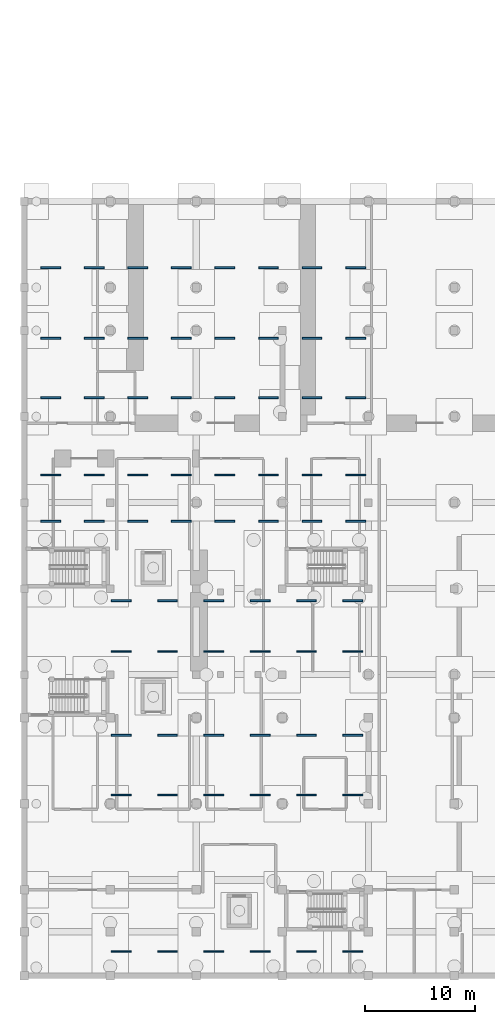
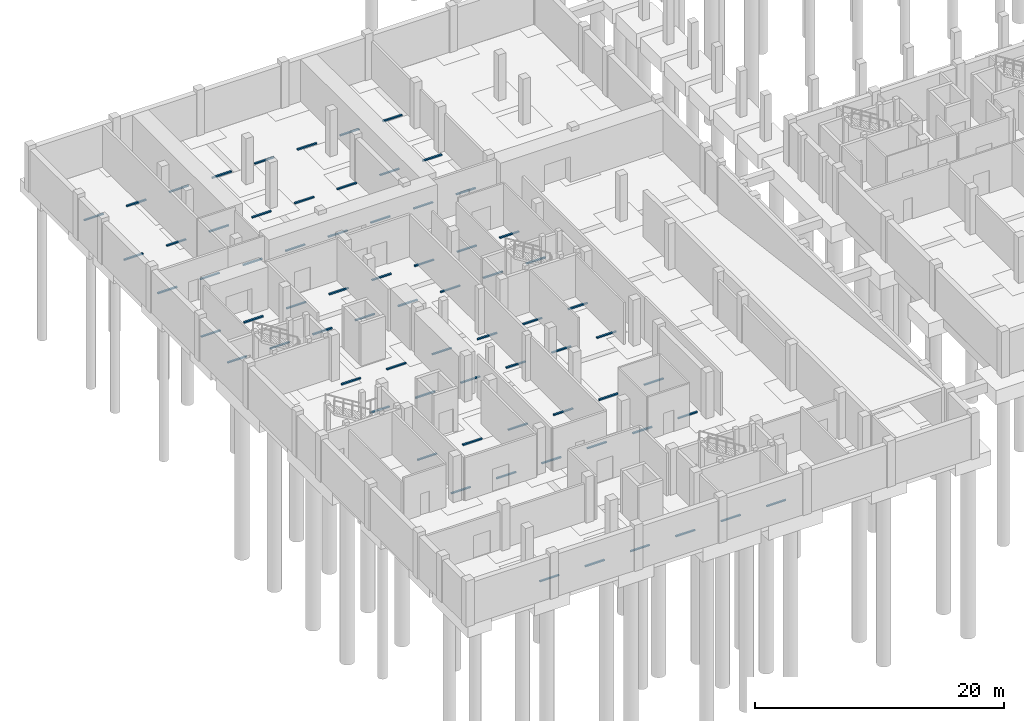
# One storey, part 19 of 24: 70 discrete accessories.
"""IFC4 building model written with IfcOpenShell, lengths in metres."""

from ifc_helpers import new_model, si_unit, direction, frame, origin, origin_2d, place, context, subcontext, project, spatial, rectangle, extrude, material, type_object, element, save


model = new_model("IFC4")

# Units and contexts
model_context = context("Model", 3, precision=1e-05, world=origin(), true_north=direction((0.0, 1.0)))
body_context = subcontext(model_context, "Body", "Model", "MODEL_VIEW")
ifc_project = project(units=[si_unit("LENGTHUNIT", "METRE"), si_unit("AREAUNIT", "SQUARE_METRE"), si_unit("VOLUMEUNIT", "CUBIC_METRE"), si_unit("PLANEANGLEUNIT", "RADIAN"), si_unit("MASSUNIT", "GRAM", prefix="KILO")], contexts=[model_context])

# Site, building, storey
site_placement = place(None, origin())
site = spatial("IfcSite", under=ifc_project, at=site_placement, CompositionType="ELEMENT")
building_placement = place(site_placement, origin())
building = spatial("IfcBuilding", under=site, at=building_placement, Name="Celorna Specialist Clinic", CompositionType="ELEMENT")
storey_placement = place(building_placement, frame((0.0, 0.0, -4.5)))
storey = spatial("IfcBuildingStorey", under=building, at=storey_placement, Name="B01", CompositionType="ELEMENT", Elevation=-4.5)

# Discrete accessories
ifc_material = material(Name="Concrete C35/45", Category="concrete")
discrete_accessory_type = type_object("IfcDiscreteAccessoryType", Name="WB-01", PredefinedType="SHOE", material=ifc_material)
for number, where, z_axis, x_axis, name in (
    (1, (8.800048828125, 2.199951171875, 0.0), (0.0, 0.0, 1.0), (1.0, 0.0, 0.0), "Accessible parking bay wheel stop APB-01"),
    (2, (13.0, 2.199951171875, 0.0), (0.0, 0.0, 1.0), (1.0, 0.0, 0.0), "Accessible parking bay wheel stop APB-02"),
    (3, (17.199951171875, 2.199951171875, 0.0), (0.0, 0.0, 1.0), (1.0, 0.0, 0.0), "Accessible parking bay wheel stop APB-03"),
    (4, (21.39990234375, 2.199951171875, 0.0), (0.0, 0.0, 1.0), (1.0, 0.0, 0.0), "Accessible parking bay wheel stop APB-04"),
    (5, (25.60009765625, 2.199951171875, 0.0), (0.0, 0.0, 1.0), (1.0, 0.0, 0.0), "Accessible parking bay wheel stop APB-05"),
    (6, (29.800048828125, 2.199951171875, 0.0), (0.0, 0.0, 1.0), (1.0, 0.0, 0.0), "Accessible parking bay wheel stop APB-06"),
    (7, (8.800048828125, 16.39990234375, 0.0), (0.0, 0.0, 1.0), (1.0, 0.0, 0.0), "Standard parking bay wheel stop PB-001"),
    (8, (13.0, 16.39990234375, 0.0), (0.0, 0.0, 1.0), (1.0, 0.0, 0.0), "Standard parking bay wheel stop PB-002"),
    (9, (17.199951171875, 16.39990234375, 0.0), (0.0, 0.0, 1.0), (1.0, 0.0, 0.0), "Standard parking bay wheel stop PB-003"),
    (10, (21.39990234375, 16.39990234375, 0.0), (0.0, 0.0, 1.0), (1.0, 0.0, 0.0), "Standard parking bay wheel stop PB-004"),
    (11, (25.60009765625, 16.39990234375, 0.0), (0.0, 0.0, 1.0), (1.0, 0.0, 0.0), "Standard parking bay wheel stop PB-005"),
    (12, (29.800048828125, 16.39990234375, 0.0), (0.0, 0.0, 1.0), (1.0, 0.0, 0.0), "Standard parking bay wheel stop PB-006"),
    (13, (8.800048828125, 21.800048828125, 0.0), (0.0, 0.0, 1.0), (1.0, 0.0, 0.0), "Standard parking bay wheel stop PB-007"),
    (14, (13.0, 21.800048828125, 0.0), (0.0, 0.0, 1.0), (1.0, 0.0, 0.0), "Standard parking bay wheel stop PB-008"),
    (15, (17.199951171875, 21.800048828125, 0.0), (0.0, 0.0, 1.0), (1.0, 0.0, 0.0), "Standard parking bay wheel stop PB-009"),
    (16, (21.39990234375, 21.800048828125, 0.0), (0.0, 0.0, 1.0), (1.0, 0.0, 0.0), "Standard parking bay wheel stop PB-010"),
    (17, (25.60009765625, 21.800048828125, 0.0), (0.0, 0.0, 1.0), (1.0, 0.0, 0.0), "Standard parking bay wheel stop PB-011"),
    (18, (29.800048828125, 21.800048828125, 0.0), (0.0, 0.0, 1.0), (1.0, 0.0, 0.0), "Standard parking bay wheel stop PB-012"),
    (19, (8.800048828125, 29.39990234375, 0.0), (0.0, 0.0, 1.0), (1.0, 0.0, 0.0), "Standard parking bay wheel stop PB-013"),
    (20, (13.0, 29.39990234375, 0.0), (0.0, 0.0, 1.0), (1.0, 0.0, 0.0), "Standard parking bay wheel stop PB-014"),
    (21, (17.199951171875, 29.39990234375, 0.0), (0.0, 0.0, 1.0), (1.0, 0.0, 0.0), "Standard parking bay wheel stop PB-015"),
    (22, (21.39990234375, 29.39990234375, 0.0), (0.0, 0.0, 1.0), (1.0, 0.0, 0.0), "Standard parking bay wheel stop PB-016"),
    (23, (25.60009765625, 29.39990234375, 0.0), (0.0, 0.0, 1.0), (1.0, 0.0, 0.0), "Standard parking bay wheel stop PB-017"),
    (24, (29.800048828125, 29.39990234375, 0.0), (0.0, 0.0, 1.0), (1.0, 0.0, 0.0), "Standard parking bay wheel stop PB-018"),
    (25, (8.800048828125, 34.0, 0.0), (0.0, 0.0, 1.0), (1.0, 0.0, 0.0), "Standard parking bay wheel stop PB-019"),
    (26, (13.0, 34.0, 0.0), (0.0, 0.0, 1.0), (1.0, 0.0, 0.0), "Standard parking bay wheel stop PB-020"),
    (27, (17.199951171875, 34.0, 0.0), (0.0, 0.0, 1.0), (1.0, 0.0, 0.0), "Standard parking bay wheel stop PB-021"),
    (28, (21.39990234375, 34.0, 0.0), (0.0, 0.0, 1.0), (1.0, 0.0, 0.0), "Standard parking bay wheel stop PB-022"),
    (29, (25.60009765625, 34.0, 0.0), (0.0, 0.0, 1.0), (1.0, 0.0, 0.0), "Standard parking bay wheel stop PB-023"),
    (30, (29.800048828125, 34.0, 0.0), (0.0, 0.0, 1.0), (1.0, 0.0, 0.0), "Standard parking bay wheel stop PB-024"),
    (31, (2.39990234375, 41.199951171875, 0.0), (0.0, 0.0, 1.0), (1.0, 0.0, 0.0), "Standard parking bay wheel stop PB-025"),
    (32, (6.35009765625, 41.199951171875, 0.0), (0.0, 0.0, 1.0), (1.0, 0.0, 0.0), "Standard parking bay wheel stop PB-026"),
    (33, (10.300048828125, 41.199951171875, 0.0), (0.0, 0.0, 1.0), (1.0, 0.0, 0.0), "Standard parking bay wheel stop PB-027"),
    (34, (14.25, 41.199951171875, 0.0), (0.0, 0.0, 1.0), (1.0, 0.0, 0.0), "Standard parking bay wheel stop PB-028"),
    (35, (18.199951171875, 41.199951171875, 0.0), (0.0, 0.0, 1.0), (1.0, 0.0, 0.0), "Standard parking bay wheel stop PB-029"),
    (36, (22.14990234375, 41.199951171875, 0.0), (0.0, 0.0, 1.0), (1.0, 0.0, 0.0), "Standard parking bay wheel stop PB-030"),
    (37, (26.10009765625, 41.199951171875, 0.0), (0.0, 0.0, 1.0), (1.0, 0.0, 0.0), "Standard parking bay wheel stop PB-031"),
    (38, (30.050048828125, 41.199951171875, 0.0), (0.0, 0.0, 1.0), (1.0, 0.0, 0.0), "Standard parking bay wheel stop PB-032"),
    (39, (2.39990234375, 45.39990234375, 0.0), (0.0, 0.0, 1.0), (1.0, 0.0, 0.0), "Standard parking bay wheel stop PB-033"),
    (40, (6.35009765625, 45.39990234375, 0.0), (0.0, 0.0, 1.0), (1.0, 0.0, 0.0), "Standard parking bay wheel stop PB-034"),
    (41, (10.300048828125, 45.39990234375, 0.0), (0.0, 0.0, 1.0), (1.0, 0.0, 0.0), "Standard parking bay wheel stop PB-035"),
    (42, (14.25, 45.39990234375, 0.0), (0.0, 0.0, 1.0), (1.0, 0.0, 0.0), "Standard parking bay wheel stop PB-036"),
    (43, (18.199951171875, 45.39990234375, 0.0), (0.0, 0.0, 1.0), (1.0, 0.0, 0.0), "Standard parking bay wheel stop PB-037"),
    (44, (22.14990234375, 45.39990234375, 0.0), (0.0, 0.0, 1.0), (1.0, 0.0, 0.0), "Standard parking bay wheel stop PB-038"),
    (45, (26.10009765625, 45.39990234375, 0.0), (0.0, 0.0, 1.0), (1.0, 0.0, 0.0), "Standard parking bay wheel stop PB-039"),
    (46, (30.050048828125, 45.39990234375, 0.0), (0.0, 0.0, 1.0), (1.0, 0.0, 0.0), "Standard parking bay wheel stop PB-040"),
    (47, (2.39990234375, 52.39990234375, 0.0), (0.0, 0.0, 1.0), (1.0, 0.0, 0.0), "Standard parking bay wheel stop PB-041"),
    (48, (6.35009765625, 52.39990234375, 0.0), (0.0, 0.0, 1.0), (1.0, 0.0, 0.0), "Standard parking bay wheel stop PB-042"),
    (49, (10.300048828125, 52.39990234375, 0.0), (0.0, 0.0, 1.0), (1.0, 0.0, 0.0), "Standard parking bay wheel stop PB-043"),
    (50, (14.25, 52.39990234375, 0.0), (0.0, 0.0, 1.0), (1.0, 0.0, 0.0), "Standard parking bay wheel stop PB-044"),
    (51, (18.199951171875, 52.39990234375, 0.0), (0.0, 0.0, 1.0), (1.0, 0.0, 0.0), "Standard parking bay wheel stop PB-045"),
    (52, (22.14990234375, 52.39990234375, 0.0), (0.0, 0.0, 1.0), (1.0, 0.0, 0.0), "Standard parking bay wheel stop PB-046"),
    (53, (26.10009765625, 52.39990234375, 0.0), (0.0, 0.0, 1.0), (1.0, 0.0, 0.0), "Standard parking bay wheel stop PB-047"),
    (54, (30.050048828125, 52.39990234375, 0.0), (0.0, 0.0, 1.0), (1.0, 0.0, 0.0), "Standard parking bay wheel stop PB-048"),
    (55, (2.39990234375, 57.800048828125, 0.0), (0.0, 0.0, 1.0), (1.0, 0.0, 0.0), "Standard parking bay wheel stop PB-049"),
    (56, (6.35009765625, 57.800048828125, 0.0), (0.0, 0.0, 1.0), (1.0, 0.0, 0.0), "Standard parking bay wheel stop PB-050"),
    (57, (10.300048828125, 57.800048828125, 0.0), (0.0, 0.0, 1.0), (1.0, 0.0, 0.0), "Standard parking bay wheel stop PB-051"),
    (58, (14.25, 57.800048828125, 0.0), (0.0, 0.0, 1.0), (1.0, 0.0, 0.0), "Standard parking bay wheel stop PB-052"),
    (59, (18.199951171875, 57.800048828125, 0.0), (0.0, 0.0, 1.0), (1.0, 0.0, 0.0), "Standard parking bay wheel stop PB-053"),
    (60, (22.14990234375, 57.800048828125, 0.0), (0.0, 0.0, 1.0), (1.0, 0.0, 0.0), "Standard parking bay wheel stop PB-054"),
    (61, (26.10009765625, 57.800048828125, 0.0), (0.0, 0.0, 1.0), (1.0, 0.0, 0.0), "Standard parking bay wheel stop PB-055"),
    (62, (30.050048828125, 57.800048828125, 0.0), (0.0, 0.0, 1.0), (1.0, 0.0, 0.0), "Standard parking bay wheel stop PB-056"),
    (63, (2.39990234375, 64.199951171875, 0.0), (0.0, 0.0, 1.0), (1.0, 0.0, 0.0), "Standard parking bay wheel stop PB-057"),
    (64, (6.35009765625, 64.199951171875, 0.0), (0.0, 0.0, 1.0), (1.0, 0.0, 0.0), "Standard parking bay wheel stop PB-058"),
    (65, (10.300048828125, 64.199951171875, 0.0), (0.0, 0.0, 1.0), (1.0, 0.0, 0.0), "Standard parking bay wheel stop PB-059"),
    (66, (14.25, 64.199951171875, 0.0), (0.0, 0.0, 1.0), (1.0, 0.0, 0.0), "Standard parking bay wheel stop PB-060"),
    (67, (18.199951171875, 64.199951171875, 0.0), (0.0, 0.0, 1.0), (1.0, 0.0, 0.0), "Standard parking bay wheel stop PB-061"),
    (68, (22.14990234375, 64.199951171875, 0.0), (0.0, 0.0, 1.0), (1.0, 0.0, 0.0), "Standard parking bay wheel stop PB-062"),
    (69, (26.10009765625, 64.199951171875, 0.0), (0.0, 0.0, 1.0), (1.0, 0.0, 0.0), "Standard parking bay wheel stop PB-063"),
    (70, (30.050048828125, 64.199951171875, 0.0), (0.0, 0.0, 1.0), (1.0, 0.0, 0.0), "Standard parking bay wheel stop PB-064"),
):
    element("IfcDiscreteAccessory", number, at=place(storey_placement, frame(where, z_axis=z_axis, x_axis=x_axis)), inside=storey, type_object=discrete_accessory_type, Name=name, PredefinedType="SHOE", context=body_context, shape_type="SweptSolid", body=[
        extrude(rectangle(XDim=1.800048828125, YDim=0.159912109375, at=origin_2d()), origin(), (0.0, 0.0, 1.0), 0.1201171875),
    ])

save(model, "model.ifc")
